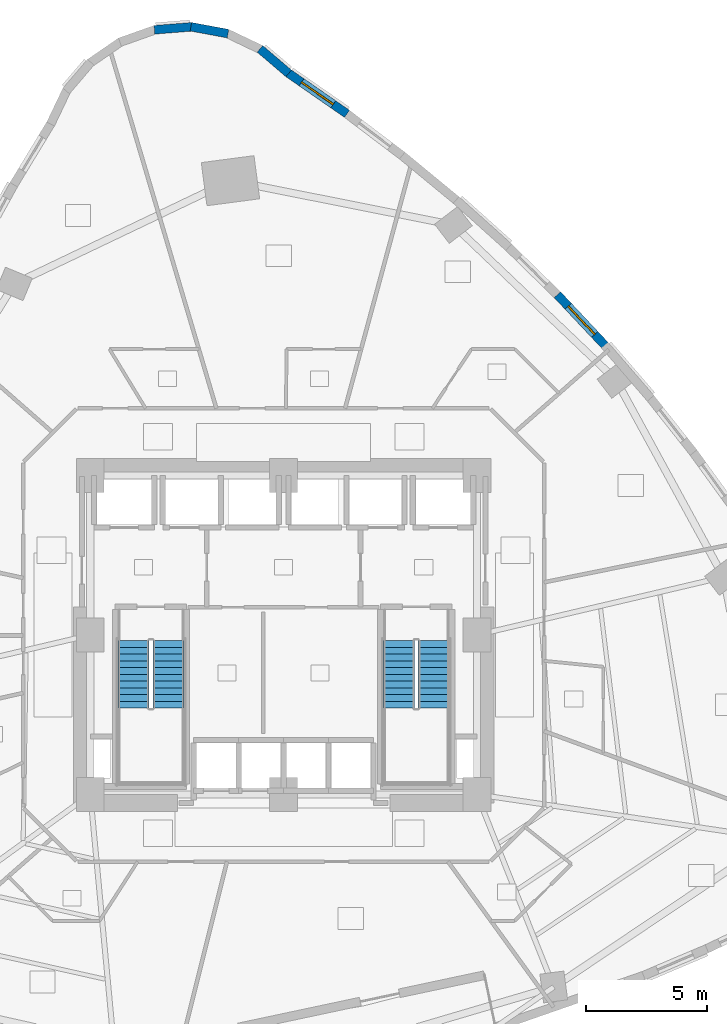
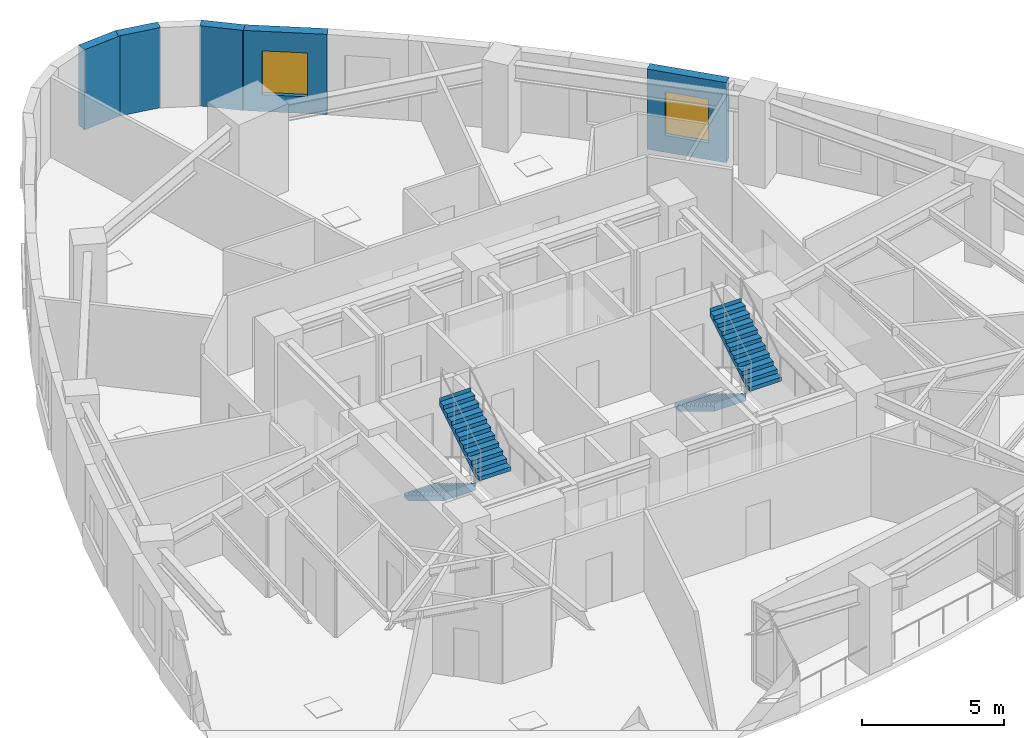
# One storey, part 9 of 12: 5 walls, 4 stair flights, 2 windows, 2 openings, 2 elements without a shape of their own.
"""IFC4 building model written with IfcOpenShell, lengths in metres."""

from ifc_helpers import new_model, si_unit, direction, frame, frame_2d, origin, place, context, subcontext, project, spatial, polyline, rectangle, outline, extrude, material, layer, layer_set, type_object, element, fill, aggregate, save


model = new_model("IFC4")

# Units and contexts
model_context = context("Model", 3, precision=1e-05, world=origin(), true_north=direction((0.0, 1.0)))
body_context = subcontext(model_context, "Body", "Model", "MODEL_VIEW")
ifc_project = project(units=[si_unit("LENGTHUNIT", "METRE"), si_unit("AREAUNIT", "SQUARE_METRE"), si_unit("VOLUMEUNIT", "CUBIC_METRE"), si_unit("PLANEANGLEUNIT", "RADIAN"), si_unit("MASSUNIT", "GRAM", prefix="KILO")], contexts=[model_context])

# Site, building, storey
site_placement = place(None, origin())
site = spatial("IfcSite", under=ifc_project, at=site_placement, CompositionType="ELEMENT")
building_placement = place(site_placement, origin())
building = spatial("IfcBuilding", under=site, at=building_placement, Name="Ndelora Gate Hotel", CompositionType="ELEMENT")
storey_placement = place(building_placement, frame((0.0, 0.0, 79.25)))
storey = spatial("IfcBuildingStorey", under=building, at=storey_placement, Name="L19", CompositionType="ELEMENT", Elevation=79.25)

# Walls
ifc_material_1 = material(Name="Clay Brick Masonry", Category="masonry")
ifc_layer = layer(ifc_material_1, 0.360107421875)
ifc_layer_set = layer_set([ifc_layer], Name="Clay Brick Masonry")
wall_type = type_object("IfcWallType", Name="WL-BRICK-360", PredefinedType="SOLIDWALL", material=ifc_layer_set)
wall_1_placement = place(storey_placement, frame((-0.978515625, 24.255615234375, 0.0), z_axis=(0.0, 0.0, 1.0), x_axis=(0.760412216577, -0.649440729305, 0.0)))
element("IfcWall", 1, at=wall_1_placement, inside=storey, type_object=wall_type, Name="L19 Tower Brick Pier-and-Spandrel Wall TWR-1", PredefinedType="SOLIDWALL", context=body_context, shape_type="SweptSolid", body=[
    extrude(rectangle(XDim=1.564208984375, YDim=0.360107421875, at=frame_2d((0.7822265625, 0.0))), origin(), (0.0, 0.0, 1.0), 3.43994140625),
])
wall_2_placement = place(storey_placement, frame((-3.83935546875, 25.171630859375, 0.0), z_axis=(0.0, 0.0, 1.0), x_axis=(0.983239538779, -0.182318428527, 0.0)))
element("IfcWall", 2, at=wall_2_placement, inside=storey, type_object=wall_type, Name="L19 Tower Brick Pier-and-Spandrel Wall TWR-3", PredefinedType="SOLIDWALL", context=body_context, shape_type="SweptSolid", body=[
    extrude(rectangle(XDim=1.56396484375, YDim=0.360107421875, at=frame_2d((0.781982421875, 0.0))), origin(), (0.0, 0.0, 1.0), 3.43994140625),
])
wall_3_placement = place(storey_placement, frame((-5.34912109375, 25.04638671875, 0.0), z_axis=(0.0, 0.0, 1.0), x_axis=(0.99691327675, 0.078510627557, 0.0)))
element("IfcWall", 3, at=wall_3_placement, inside=storey, type_object=wall_type, Name="L19 Tower Brick Pier-and-Spandrel Wall TWR-4", PredefinedType="SOLIDWALL", context=body_context, shape_type="SweptSolid", body=[
    extrude(rectangle(XDim=1.564208984375, YDim=0.360107421875, at=frame_2d((0.7822265625, 0.0))), origin(), (0.0, 0.0, 1.0), 3.43994140625),
])

# Wall, opening, window
wall_4_placement = place(storey_placement, frame((11.32958984375, 14.08203125, 0.0), z_axis=(0.0, 0.0, 1.0), x_axis=(0.684867242206, -0.728667867106, 0.0)))
wall_4 = element("IfcWall", 4, at=wall_4_placement, inside=storey, type_object=wall_type, Name="L19 Tower Brick Pier-and-Spandrel Wall TWR-53", PredefinedType="SOLIDWALL", context=body_context, shape_type="SweptSolid", body=[
    extrude(rectangle(XDim=2.90966796875, YDim=0.360107421875, at=frame_2d((1.454833984375, 0.0))), origin(), (0.0, 0.0, 1.0), 3.43994140625),
])
opening_1_placement = place(wall_4_placement, frame((0.65478515625, 0.0, 0.719970703125)))
opening_1 = element("IfcOpeningElement", 5, at=opening_1_placement, cuts=wall_4, Name="Opening W03", PredefinedType="OPENING", context=body_context, shape_type="SweptSolid", body=[
    extrude(rectangle(XDim=1.60009765625, YDim=1.8798828125, at=frame_2d((0.800048828125, 0.93994140625))), frame((0.0, 0.18994140625, 0.0), z_axis=(0.0, -1.0, 0.0), x_axis=(1.0, 0.0, 0.0)), (0.0, 0.0, 1.0), 0.380126953125),
])
ifc_material_2 = material(Name="Insulated Low-E Double Glazing in Bronze Aluminium Frame", Category="aluminium")
window_type_1 = type_object("IfcWindowType", Name="WN-CORN-2100", PartitioningType="SINGLE_PANEL", PredefinedType="WINDOW", material=ifc_material_2)
window_1_placement = place(opening_1_placement, origin())
window_1 = element("IfcWindow", 6, at=window_1_placement, inside=storey, type_object=window_type_1, Name="L19 Deep-Set Brick-Pier Window W03", OverallHeight=1.8798828125, OverallWidth=1.60009765625, PartitioningType="SINGLE_PANEL", PredefinedType="WINDOW", context=body_context, shape_type="SweptSolid", body=[
    extrude(rectangle(XDim=1.60009765625, YDim=1.8798828125, at=frame_2d((0.800048828125, 0.93994140625))), frame((0.0, 0.030029296875, 0.0), z_axis=(0.0, -1.0, 0.0), x_axis=(1.0, 0.0, 0.0)), (0.0, 0.0, 1.0), 0.06005859375),
])
fill(opening_1, window_1)

wall_5_placement = place(storey_placement, frame((0.17138671875, 23.270263671875, 0.0), z_axis=(0.0, 0.0, 1.0), x_axis=(0.821452927514, -0.570276325897, 0.0)))
wall_5 = element("IfcWall", 7, at=wall_5_placement, inside=storey, type_object=wall_type, Name="L19 Tower Brick Pier-and-Spandrel Wall TWR-58", PredefinedType="SOLIDWALL", context=body_context, shape_type="SweptSolid", body=[
    extrude(rectangle(XDim=2.98681640625, YDim=0.360107421875, at=frame_2d((1.493408203125, 0.0))), origin(), (0.0, 0.0, 1.0), 3.43994140625),
])
opening_2_placement = place(wall_5_placement, frame((0.693603515625, 0.0, 0.719970703125)))
opening_2 = element("IfcOpeningElement", 8, at=opening_2_placement, cuts=wall_5, Name="Opening W01", PredefinedType="OPENING", context=body_context, shape_type="SweptSolid", body=[
    extrude(rectangle(XDim=1.60009765625, YDim=1.8798828125, at=frame_2d((0.800048828125, 0.93994140625))), frame((0.0, 0.18994140625, 0.0), z_axis=(0.0, -1.0, 0.0), x_axis=(1.0, 0.0, 0.0)), (0.0, 0.0, 1.0), 0.380126953125),
])
window_type_2 = type_object("IfcWindowType", Name="WN-DEEP-1600", PartitioningType="SINGLE_PANEL", PredefinedType="WINDOW", material=ifc_material_2)
window_2_placement = place(opening_2_placement, origin())
window_2 = element("IfcWindow", 9, at=window_2_placement, inside=storey, type_object=window_type_2, Name="L19 Deep-Set Brick-Pier Window W01", OverallHeight=1.8798828125, OverallWidth=1.60009765625, PartitioningType="SINGLE_PANEL", PredefinedType="WINDOW", context=body_context, shape_type="SweptSolid", body=[
    extrude(rectangle(XDim=1.60009765625, YDim=1.8798828125, at=frame_2d((0.800048828125, 0.93994140625))), frame((0.0, 0.030029296875, 0.0), z_axis=(0.0, -1.0, 0.0), x_axis=(1.0, 0.0, 0.0)), (0.0, 0.0, 1.0), 0.06005859375),
])
fill(opening_2, window_2)

# Stair, stair flights
ifc_material_3 = material(Name="Precast concrete C40/50", Category="concrete")
stair_type = type_object("IfcStairType", Name="STR-DOG-CORE", PredefinedType="HALF_TURN_STAIR", material=ifc_material_3)
stair_1_placement = place(storey_placement, origin())
stair_1 = element("IfcStair", 10, at=stair_1_placement, inside=storey, type_object=stair_type, Name="L19 Protected Core Exit Stair ST4", PredefinedType="HALF_TURN_STAIR")
stair_flight_type = type_object("IfcStairFlightType", Name="STF-PRECAST", PredefinedType="STRAIGHT", material=ifc_material_3)
stair_flight_1_placement = place(storey_placement, frame((-6.2099609375, -0.22998046875, 0.0), z_axis=(0.0, 0.0, 1.0), x_axis=(0.0, -1.0, 0.0)))
stair_flight_1 = element("IfcStairFlight", 11, at=stair_flight_1_placement, type_object=stair_flight_type, Name="ST4 flight 1", NumberOfRisers=11, NumberOfTreads=10, PredefinedType="STRAIGHT", RiserHeight=0.170454545, TreadLength=0.28, context=body_context, shape_type="SweptSolid", body=[
    extrude(outline(polyline([(-0.00048828125, 0.0), (-0.00048828125, 0.17041015625), (0.0, 0.17041015625), (0.280029296875, 0.17041015625), (0.280029296875, 0.3408203125), (0.56005859375, 0.3408203125), (0.56005859375, 0.511474609375), (0.840087890625, 0.511474609375), (0.840087890625, 0.681884765625), (1.1201171875, 0.681884765625), (1.1201171875, 0.852294921875), (1.39990234375, 0.852294921875), (1.39990234375, 1.022705078125), (1.679931640625, 1.022705078125), (1.679931640625, 1.193115234375), (1.9599609375, 1.193115234375), (1.9599609375, 1.363525390625), (2.239990234375, 1.363525390625), (2.239990234375, 1.5341796875), (2.52001953125, 1.5341796875), (2.52001953125, 1.70458984375), (2.800048828125, 1.70458984375), (2.800048828125, 1.875), (2.800537109375, 1.875), (2.800537109375, 1.695068359375), (2.800048828125, 1.529052734375), (0.288330078125, 0.0), (-0.00048828125, 0.0)])), frame((0.0, 0.64013671875, 0.0), z_axis=(0.0, -1.0, 0.0), x_axis=(1.0, 0.0, 0.0)), (0.0, 0.0, 1.0), 1.280029296875),
])
stair_flight_2_placement = place(storey_placement, frame((-4.77001953125, -3.030029296875, 1.875), z_axis=(0.0, 0.0, 1.0), x_axis=(0.0, 1.0, 0.0)))
stair_flight_2 = element("IfcStairFlight", 12, at=stair_flight_2_placement, type_object=stair_flight_type, Name="ST4 flight 2", NumberOfRisers=11, NumberOfTreads=10, PredefinedType="STRAIGHT", RiserHeight=0.170454545, TreadLength=0.28, context=body_context, shape_type="SweptSolid", body=[
    extrude(outline(polyline([(-0.00048828125, 0.0), (-0.00048828125, 0.17041015625), (0.0, 0.17041015625), (0.280029296875, 0.17041015625), (0.280029296875, 0.3408203125), (0.56005859375, 0.3408203125), (0.56005859375, 0.511474609375), (0.840087890625, 0.511474609375), (0.840087890625, 0.681884765625), (1.1201171875, 0.681884765625), (1.1201171875, 0.852294921875), (1.39990234375, 0.852294921875), (1.39990234375, 1.022705078125), (1.679931640625, 1.022705078125), (1.679931640625, 1.193115234375), (1.9599609375, 1.193115234375), (1.9599609375, 1.363525390625), (2.239990234375, 1.363525390625), (2.239990234375, 1.5341796875), (2.52001953125, 1.5341796875), (2.52001953125, 1.70458984375), (2.800048828125, 1.70458984375), (2.800048828125, 1.875), (2.800537109375, 1.875), (2.800537109375, 1.695068359375), (2.800048828125, 1.529052734375), (0.288330078125, 0.0), (-0.00048828125, 0.0)])), frame((0.0, 0.64013671875, 0.0), z_axis=(0.0, -1.0, 0.0), x_axis=(1.0, 0.0, 0.0)), (0.0, 0.0, 1.0), 1.280029296875),
])
aggregate(stair_1, [stair_flight_1, stair_flight_2])

stair_2_placement = place(storey_placement, origin())
stair_2 = element("IfcStair", 13, at=stair_2_placement, inside=storey, type_object=stair_type, Name="L19 Protected Core Exit Stair ST5", PredefinedType="HALF_TURN_STAIR")
stair_flight_3_placement = place(storey_placement, frame((4.77001953125, -0.22998046875, 0.0), z_axis=(0.0, 0.0, 1.0), x_axis=(0.0, -1.0, 0.0)))
stair_flight_3 = element("IfcStairFlight", 14, at=stair_flight_3_placement, type_object=stair_flight_type, Name="ST5 flight 1", NumberOfRisers=11, NumberOfTreads=10, PredefinedType="STRAIGHT", RiserHeight=0.170454545, TreadLength=0.28, context=body_context, shape_type="SweptSolid", body=[
    extrude(outline(polyline([(-0.00048828125, 0.0), (-0.00048828125, 0.17041015625), (0.0, 0.17041015625), (0.280029296875, 0.17041015625), (0.280029296875, 0.3408203125), (0.56005859375, 0.3408203125), (0.56005859375, 0.511474609375), (0.840087890625, 0.511474609375), (0.840087890625, 0.681884765625), (1.1201171875, 0.681884765625), (1.1201171875, 0.852294921875), (1.39990234375, 0.852294921875), (1.39990234375, 1.022705078125), (1.679931640625, 1.022705078125), (1.679931640625, 1.193115234375), (1.9599609375, 1.193115234375), (1.9599609375, 1.363525390625), (2.239990234375, 1.363525390625), (2.239990234375, 1.5341796875), (2.52001953125, 1.5341796875), (2.52001953125, 1.70458984375), (2.800048828125, 1.70458984375), (2.800048828125, 1.875), (2.800537109375, 1.875), (2.800537109375, 1.695068359375), (2.800048828125, 1.529052734375), (0.288330078125, 0.0), (-0.00048828125, 0.0)])), frame((0.0, 0.64013671875, 0.0), z_axis=(0.0, -1.0, 0.0), x_axis=(1.0, 0.0, 0.0)), (0.0, 0.0, 1.0), 1.280029296875),
])
stair_flight_4_placement = place(storey_placement, frame((6.2099609375, -3.030029296875, 1.875), z_axis=(0.0, 0.0, 1.0), x_axis=(0.0, 1.0, 0.0)))
stair_flight_4 = element("IfcStairFlight", 15, at=stair_flight_4_placement, type_object=stair_flight_type, Name="ST5 flight 2", NumberOfRisers=11, NumberOfTreads=10, PredefinedType="STRAIGHT", RiserHeight=0.170454545, TreadLength=0.28, context=body_context, shape_type="SweptSolid", body=[
    extrude(outline(polyline([(-0.00048828125, 0.0), (-0.00048828125, 0.17041015625), (0.0, 0.17041015625), (0.280029296875, 0.17041015625), (0.280029296875, 0.3408203125), (0.56005859375, 0.3408203125), (0.56005859375, 0.511474609375), (0.840087890625, 0.511474609375), (0.840087890625, 0.681884765625), (1.1201171875, 0.681884765625), (1.1201171875, 0.852294921875), (1.39990234375, 0.852294921875), (1.39990234375, 1.022705078125), (1.679931640625, 1.022705078125), (1.679931640625, 1.193115234375), (1.9599609375, 1.193115234375), (1.9599609375, 1.363525390625), (2.239990234375, 1.363525390625), (2.239990234375, 1.5341796875), (2.52001953125, 1.5341796875), (2.52001953125, 1.70458984375), (2.800048828125, 1.70458984375), (2.800048828125, 1.875), (2.800537109375, 1.875), (2.800537109375, 1.695068359375), (2.800048828125, 1.529052734375), (0.288330078125, 0.0), (-0.00048828125, 0.0)])), frame((0.0, 0.64013671875, 0.0), z_axis=(0.0, -1.0, 0.0), x_axis=(1.0, 0.0, 0.0)), (0.0, 0.0, 1.0), 1.280029296875),
])
aggregate(stair_2, [stair_flight_3, stair_flight_4])

save(model, "model.ifc")
